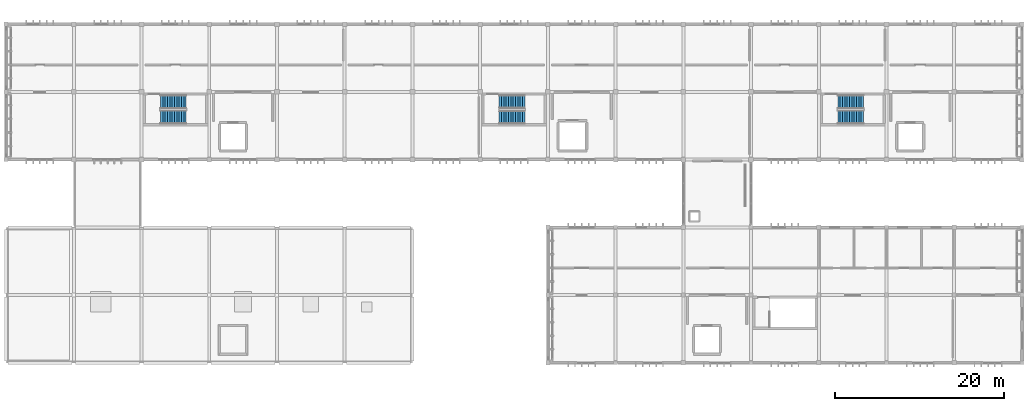
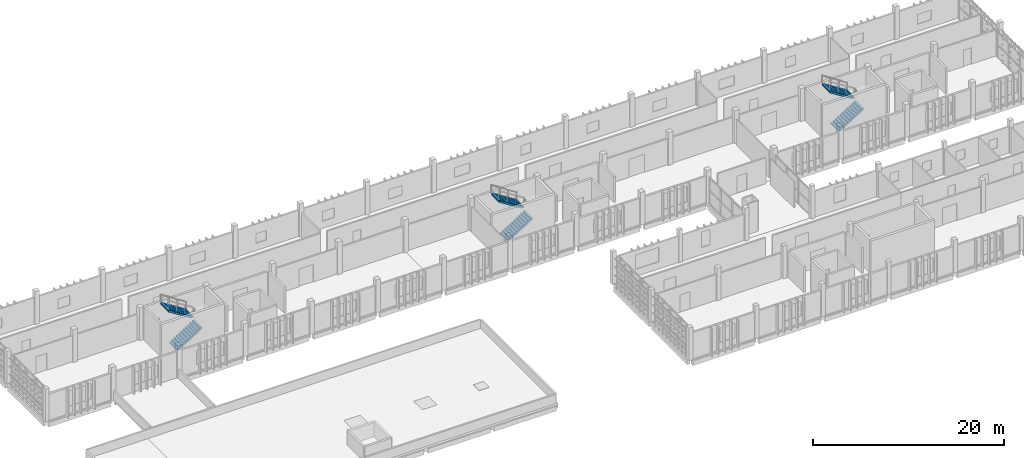
# One storey, part 26 of 32: 6 stair flights, 3 elements without a shape of their own.
"""IFC4 building model written with IfcOpenShell, lengths in metres."""

from ifc_helpers import new_model, si_unit, direction, frame, origin, place, context, subcontext, project, spatial, polyline, outline, extrude, material, type_object, element, aggregate, save


model = new_model("IFC4")

# Units and contexts
model_context = context("Model", 3, precision=1e-05, world=origin(), true_north=direction((0.0, 1.0)))
body_context = subcontext(model_context, "Body", "Model", "MODEL_VIEW")
ifc_project = project(units=[si_unit("LENGTHUNIT", "METRE"), si_unit("AREAUNIT", "SQUARE_METRE"), si_unit("VOLUMEUNIT", "CUBIC_METRE"), si_unit("PLANEANGLEUNIT", "RADIAN"), si_unit("MASSUNIT", "GRAM", prefix="KILO")], contexts=[model_context])

# Site, building, storey
site_placement = place(None, origin())
site = spatial("IfcSite", under=ifc_project, at=site_placement, CompositionType="ELEMENT")
building_placement = place(site_placement, origin())
building = spatial("IfcBuilding", under=site, at=building_placement, Name="Jelvoka-Kovrelna Polytechnic", CompositionType="ELEMENT")
storey_placement = place(building_placement, frame((0.0, 0.0, 26.39990234375)))
storey = spatial("IfcBuildingStorey", under=building, at=storey_placement, Name="L07", CompositionType="ELEMENT", Elevation=26.39990234375)

# Stair, stair flights
ifc_material_1 = material(Name="Concrete C35/45", Category="concrete")
stair_type_1 = type_object("IfcStairType", Name="Stair_Dogleg_1620", PredefinedType="TWO_STRAIGHT_RUN_STAIR", material=ifc_material_1)
stair_1_placement = place(storey_placement, origin())
stair_1 = element("IfcStair", 1, at=stair_1_placement, inside=storey, type_object=stair_type_1, Name="L07 ST09", PredefinedType="TWO_STRAIGHT_RUN_STAIR")
ifc_material_2 = material(Name="Concrete C35/45", Category="concrete")
stair_flight_type = type_object("IfcStairFlightType", Name="Flight_RC_175", PredefinedType="STRAIGHT", material=ifc_material_2)
stair_flight_1_placement = place(storey_placement, frame((82.25, 61.010009765625, 0.0), z_axis=(0.0, 0.0, 1.0), x_axis=(1.0, 0.0, 0.0)))
stair_flight_1 = element("IfcStairFlight", 2, at=stair_flight_1_placement, type_object=stair_flight_type, Name="ST09 flight 1", NumberOfRisers=12, NumberOfTreads=11, PredefinedType="STRAIGHT", RiserHeight=0.175, TreadLength=0.275, context=body_context, shape_type="SweptSolid", body=[
    extrude(outline(polyline([(0.0, 0.0), (0.0, 0.175048828125), (0.27490234375, 0.175048828125), (0.27490234375, 0.35009765625), (0.550048828125, 0.35009765625), (0.550048828125, 0.52490234375), (0.824951171875, 0.52490234375), (0.824951171875, 0.699951171875), (1.10009765625, 0.699951171875), (1.10009765625, 0.875), (1.375, 0.875), (1.375, 1.050048828125), (1.64990234375, 1.050048828125), (1.64990234375, 1.22509765625), (1.925048828125, 1.22509765625), (1.925048828125, 1.39990234375), (2.199951171875, 1.39990234375), (2.199951171875, 1.574951171875), (2.47509765625, 1.574951171875), (2.47509765625, 1.75), (2.75, 1.75), (2.75, 1.925048828125), (3.02490234375, 1.925048828125), (3.02490234375, 2.10009765625), (3.02490234375, 1.711669921875), (0.335205078125, 0.0), (0.0, 0.0)])), frame((0.0, 0.81005859375, 0.0), z_axis=(0.0, -1.0, 0.0), x_axis=(1.0, 0.0, 0.0)), (0.0, 0.0, 1.0), 1.6201171875),
])
stair_flight_2_placement = place(storey_placement, frame((85.27490234375, 62.830078125, 2.10009765625), z_axis=(0.0, 0.0, 1.0), x_axis=(-1.0, 0.0, 0.0)))
stair_flight_2 = element("IfcStairFlight", 3, at=stair_flight_2_placement, type_object=stair_flight_type, Name="ST09 flight 2", NumberOfRisers=12, NumberOfTreads=11, PredefinedType="STRAIGHT", RiserHeight=0.175, TreadLength=0.275, context=body_context, shape_type="SweptSolid", body=[
    extrude(outline(polyline([(0.0, 0.0), (0.0, 0.175048828125), (0.27490234375, 0.175048828125), (0.27490234375, 0.35009765625), (0.550048828125, 0.35009765625), (0.550048828125, 0.52490234375), (0.824951171875, 0.52490234375), (0.824951171875, 0.699951171875), (1.10009765625, 0.699951171875), (1.10009765625, 0.875), (1.375, 0.875), (1.375, 1.050048828125), (1.64990234375, 1.050048828125), (1.64990234375, 1.22509765625), (1.925048828125, 1.22509765625), (1.925048828125, 1.39990234375), (2.199951171875, 1.39990234375), (2.199951171875, 1.574951171875), (2.47509765625, 1.574951171875), (2.47509765625, 1.75), (2.75, 1.75), (2.75, 1.925048828125), (3.02490234375, 1.925048828125), (3.02490234375, 2.10009765625), (3.02490234375, 1.711669921875), (0.335205078125, 0.0), (0.0, 0.0)])), frame((0.0, 0.81005859375, 0.0), z_axis=(0.0, -1.0, 0.0), x_axis=(1.0, 0.0, 0.0)), (0.0, 0.0, 1.0), 1.6201171875),
])
aggregate(stair_1, [stair_flight_1, stair_flight_2])

stair_2_placement = place(storey_placement, origin())
stair_2 = element("IfcStair", 4, at=stair_2_placement, inside=storey, type_object=stair_type_1, Name="L07 ST10", PredefinedType="TWO_STRAIGHT_RUN_STAIR")
stair_flight_3_placement = place(storey_placement, frame((162.25, 61.010009765625, 0.0), z_axis=(0.0, 0.0, 1.0), x_axis=(1.0, 0.0, 0.0)))
stair_flight_3 = element("IfcStairFlight", 5, at=stair_flight_3_placement, type_object=stair_flight_type, Name="ST10 flight 1", NumberOfRisers=12, NumberOfTreads=11, PredefinedType="STRAIGHT", RiserHeight=0.175, TreadLength=0.275, context=body_context, shape_type="SweptSolid", body=[
    extrude(outline(polyline([(0.0, 0.0), (0.0, 0.175048828125), (0.27490234375, 0.175048828125), (0.27490234375, 0.35009765625), (0.550048828125, 0.35009765625), (0.550048828125, 0.52490234375), (0.824951171875, 0.52490234375), (0.824951171875, 0.699951171875), (1.10009765625, 0.699951171875), (1.10009765625, 0.875), (1.375, 0.875), (1.375, 1.050048828125), (1.64990234375, 1.050048828125), (1.64990234375, 1.22509765625), (1.925048828125, 1.22509765625), (1.925048828125, 1.39990234375), (2.199951171875, 1.39990234375), (2.199951171875, 1.574951171875), (2.47509765625, 1.574951171875), (2.47509765625, 1.75), (2.75, 1.75), (2.75, 1.925048828125), (3.02490234375, 1.925048828125), (3.02490234375, 2.10009765625), (3.02490234375, 1.711669921875), (0.335205078125, 0.0), (0.0, 0.0)])), frame((0.0, 0.81005859375, 0.0), z_axis=(0.0, -1.0, 0.0), x_axis=(1.0, 0.0, 0.0)), (0.0, 0.0, 1.0), 1.6201171875),
])
stair_flight_4_placement = place(storey_placement, frame((165.27490234375, 62.830078125, 2.10009765625), z_axis=(0.0, 0.0, 1.0), x_axis=(-1.0, 0.0, 0.0)))
stair_flight_4 = element("IfcStairFlight", 6, at=stair_flight_4_placement, type_object=stair_flight_type, Name="ST10 flight 2", NumberOfRisers=12, NumberOfTreads=11, PredefinedType="STRAIGHT", RiserHeight=0.175, TreadLength=0.275, context=body_context, shape_type="SweptSolid", body=[
    extrude(outline(polyline([(0.0, 0.0), (0.0, 0.175048828125), (0.27490234375, 0.175048828125), (0.27490234375, 0.35009765625), (0.550048828125, 0.35009765625), (0.550048828125, 0.52490234375), (0.824951171875, 0.52490234375), (0.824951171875, 0.699951171875), (1.10009765625, 0.699951171875), (1.10009765625, 0.875), (1.375, 0.875), (1.375, 1.050048828125), (1.64990234375, 1.050048828125), (1.64990234375, 1.22509765625), (1.925048828125, 1.22509765625), (1.925048828125, 1.39990234375), (2.199951171875, 1.39990234375), (2.199951171875, 1.574951171875), (2.47509765625, 1.574951171875), (2.47509765625, 1.75), (2.75, 1.75), (2.75, 1.925048828125), (3.02490234375, 1.925048828125), (3.02490234375, 2.10009765625), (3.02490234375, 1.711669921875), (0.335205078125, 0.0), (0.0, 0.0)])), frame((0.0, 0.81005859375, 0.0), z_axis=(0.0, -1.0, 0.0), x_axis=(1.0, 0.0, 0.0)), (0.0, 0.0, 1.0), 1.6201171875),
])
aggregate(stair_2, [stair_flight_3, stair_flight_4])

ifc_material_3 = material(Name="Concrete C35/45", Category="concrete")
stair_type_2 = type_object("IfcStairType", Name="Stair_Dogleg_1580", PredefinedType="TWO_STRAIGHT_RUN_STAIR", material=ifc_material_3)
stair_3_placement = place(storey_placement, origin())
stair_3 = element("IfcStair", 7, at=stair_3_placement, inside=storey, type_object=stair_type_2, Name="L07 ST11", PredefinedType="TWO_STRAIGHT_RUN_STAIR")
stair_flight_5_placement = place(storey_placement, frame((122.25, 60.989990234375, 0.0), z_axis=(0.0, 0.0, 1.0), x_axis=(1.0, 0.0, 0.0)))
stair_flight_5 = element("IfcStairFlight", 8, at=stair_flight_5_placement, type_object=stair_flight_type, Name="ST11 flight 1", NumberOfRisers=12, NumberOfTreads=11, PredefinedType="STRAIGHT", RiserHeight=0.175, TreadLength=0.275, context=body_context, shape_type="SweptSolid", body=[
    extrude(outline(polyline([(0.0, 0.0), (0.0, 0.175048828125), (0.27490234375, 0.175048828125), (0.27490234375, 0.35009765625), (0.550048828125, 0.35009765625), (0.550048828125, 0.52490234375), (0.824951171875, 0.52490234375), (0.824951171875, 0.699951171875), (1.10009765625, 0.699951171875), (1.10009765625, 0.875), (1.375, 0.875), (1.375, 1.050048828125), (1.64990234375, 1.050048828125), (1.64990234375, 1.22509765625), (1.925048828125, 1.22509765625), (1.925048828125, 1.39990234375), (2.199951171875, 1.39990234375), (2.199951171875, 1.574951171875), (2.47509765625, 1.574951171875), (2.47509765625, 1.75), (2.75, 1.75), (2.75, 1.925048828125), (3.02490234375, 1.925048828125), (3.02490234375, 2.10009765625), (3.02490234375, 1.711669921875), (0.335205078125, 0.0), (0.0, 0.0)])), frame((0.0, 0.7900390625, 0.0), z_axis=(0.0, -1.0, 0.0), x_axis=(1.0, 0.0, 0.0)), (0.0, 0.0, 1.0), 1.580078125),
])
stair_flight_6_placement = place(storey_placement, frame((125.27490234375, 62.85009765625, 2.10009765625), z_axis=(0.0, 0.0, 1.0), x_axis=(-1.0, 0.0, 0.0)))
stair_flight_6 = element("IfcStairFlight", 9, at=stair_flight_6_placement, type_object=stair_flight_type, Name="ST11 flight 2", NumberOfRisers=12, NumberOfTreads=11, PredefinedType="STRAIGHT", RiserHeight=0.175, TreadLength=0.275, context=body_context, shape_type="SweptSolid", body=[
    extrude(outline(polyline([(0.0, 0.0), (0.0, 0.175048828125), (0.27490234375, 0.175048828125), (0.27490234375, 0.35009765625), (0.550048828125, 0.35009765625), (0.550048828125, 0.52490234375), (0.824951171875, 0.52490234375), (0.824951171875, 0.699951171875), (1.10009765625, 0.699951171875), (1.10009765625, 0.875), (1.375, 0.875), (1.375, 1.050048828125), (1.64990234375, 1.050048828125), (1.64990234375, 1.22509765625), (1.925048828125, 1.22509765625), (1.925048828125, 1.39990234375), (2.199951171875, 1.39990234375), (2.199951171875, 1.574951171875), (2.47509765625, 1.574951171875), (2.47509765625, 1.75), (2.75, 1.75), (2.75, 1.925048828125), (3.02490234375, 1.925048828125), (3.02490234375, 2.10009765625), (3.02490234375, 1.711669921875), (0.335205078125, 0.0), (0.0, 0.0)])), frame((0.0, 0.7900390625, 0.0), z_axis=(0.0, -1.0, 0.0), x_axis=(1.0, 0.0, 0.0)), (0.0, 0.0, 1.0), 1.580078125),
])
aggregate(stair_3, [stair_flight_5, stair_flight_6])

save(model, "model.ifc")
